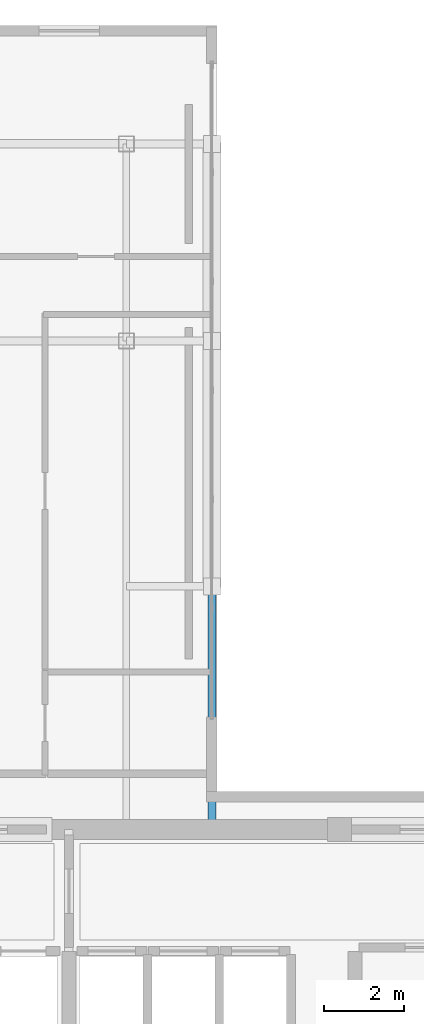
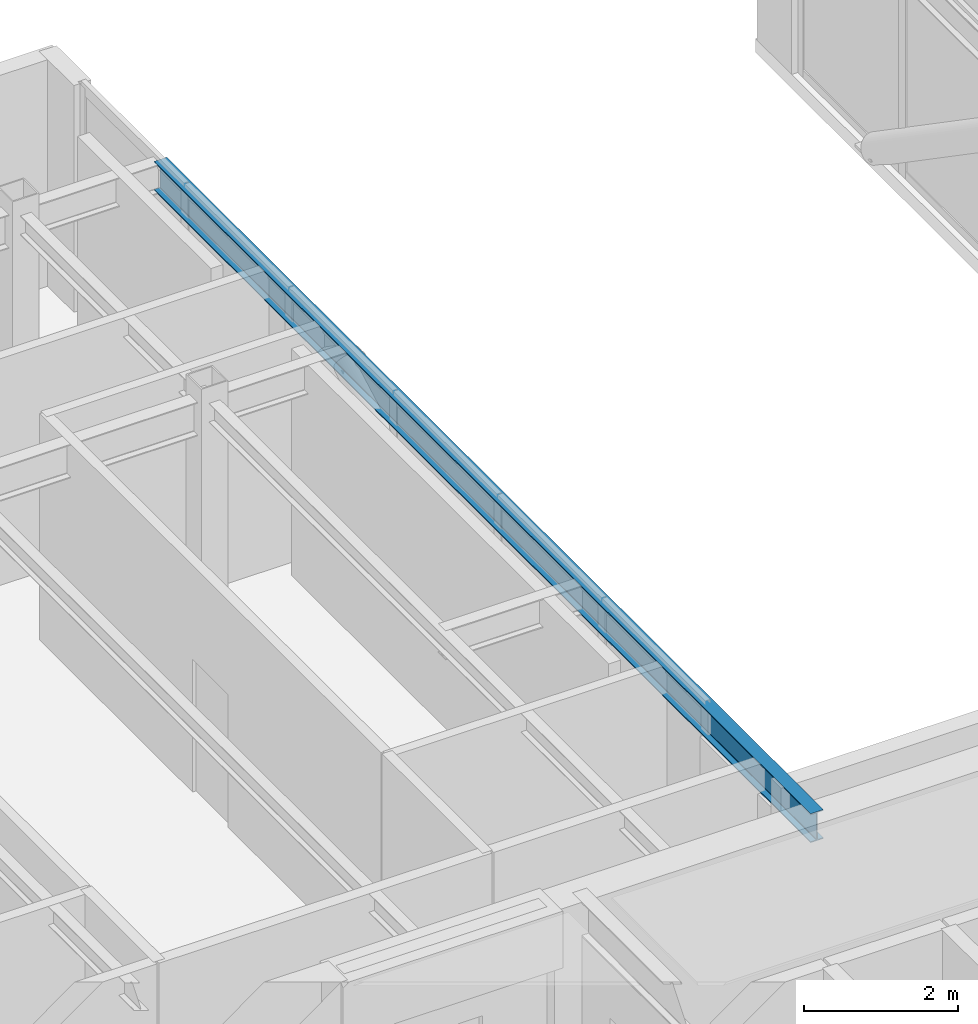
# One storey, part 7 of 19: 1 beam.
"""IFC4 building model written with IfcOpenShell, lengths in metres."""

from ifc_helpers import new_model, si_unit, direction, frame, origin, origin_2d, place, context, subcontext, project, spatial, i_section, extrude, material, material_profile, profile_set, type_object, element, save


model = new_model("IFC4")

# Units and contexts
model_context = context("Model", 3, precision=1e-05, world=origin(), true_north=direction((0.0, 1.0)))
body_context = subcontext(model_context, "Body", "Model", "MODEL_VIEW")
ifc_project = project(units=[si_unit("LENGTHUNIT", "METRE"), si_unit("AREAUNIT", "SQUARE_METRE"), si_unit("VOLUMEUNIT", "CUBIC_METRE"), si_unit("PLANEANGLEUNIT", "RADIAN"), si_unit("MASSUNIT", "GRAM", prefix="KILO")], contexts=[model_context])

# Site, building, storey
site_placement = place(None, origin())
site = spatial("IfcSite", under=ifc_project, at=site_placement, CompositionType="ELEMENT")
building_placement = place(site_placement, origin())
building = spatial("IfcBuilding", under=site, at=building_placement, Name="Ventersveld Concourse Tower", CompositionType="ELEMENT")
storey_placement = place(building_placement, frame((0.0, 0.0, 345.199951171875)))
storey = spatial("IfcBuildingStorey", under=building, at=storey_placement, Name="L85", CompositionType="ELEMENT", Elevation=345.199951171875)

# Beam
ifc_material = material(Name="Structural steel S355J2", Category="steel")
ifc_material_profile = material_profile(ifc_material, i_section(OverallWidth=0.19140625, OverallDepth=0.4599609375, WebThickness=0.010009765625, FlangeThickness=0.01611328125, FilletRadius=0.01025390625, at=origin_2d()), Name="UB 457x191x82")
ifc_profile_set = profile_set([ifc_material_profile], Name="Structural steel S355J2")
beam_type = type_object("IfcBeamType", Name="SPD-UB457", PredefinedType="SPANDREL", material=ifc_profile_set)
beam_placement = place(storey_placement, frame((23.3798828125, 11.449951171875, 3.360107421875), z_axis=(0.0, 1.0, 0.0), x_axis=(-1.0, 0.0, 0.0)))
element("IfcBeam", 1, at=beam_placement, inside=storey, type_object=beam_type, Name="L85 Wind Portal West Edge Spandrel", PredefinedType="SPANDREL", context=body_context, shape_type="SweptSolid", body=[
    extrude(i_section(OverallWidth=0.19140625, OverallDepth=0.4599609375, WebThickness=0.010009765625, FlangeThickness=0.01611328125, FilletRadius=0.01025390625, at=origin_2d()), origin(), (0.0, 0.0, 1.0), 17.050048828125),
])

save(model, "model.ifc")
